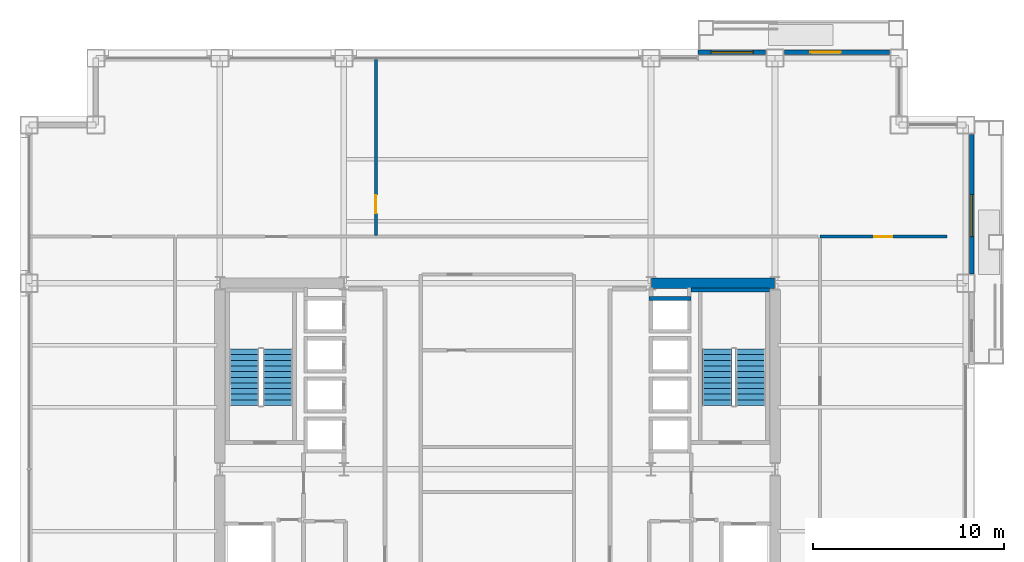
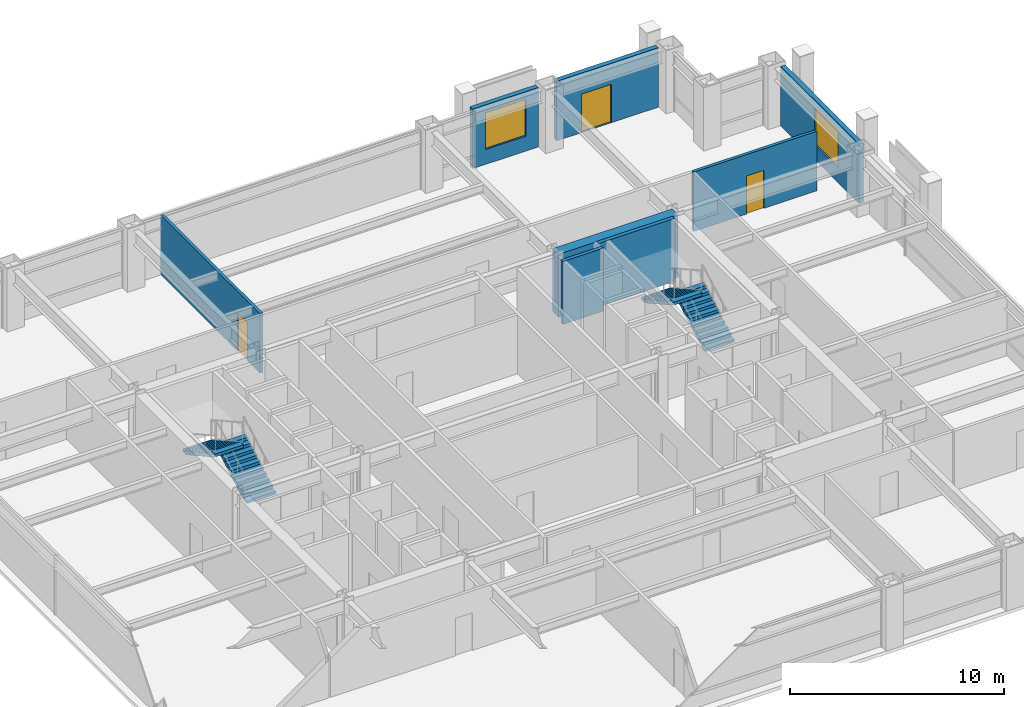
# One storey, part 28 of 31: 8 walls, 4 stair flights, 3 doors, 2 windows, 5 openings, 2 elements without a shape of their own.
"""IFC4 building model written with IfcOpenShell, lengths in metres."""

from ifc_helpers import new_model, si_unit, direction, frame, frame_2d, origin, place, context, subcontext, project, spatial, polyline, rectangle, outline, extrude, material, layer, layer_set, type_object, element, fill, aggregate, save


model = new_model("IFC4")

# Units and contexts
model_context = context("Model", 3, precision=1e-05, world=origin(), true_north=direction((0.0, 1.0)))
body_context = subcontext(model_context, "Body", "Model", "MODEL_VIEW")
ifc_project = project(units=[si_unit("LENGTHUNIT", "METRE"), si_unit("AREAUNIT", "SQUARE_METRE"), si_unit("VOLUMEUNIT", "CUBIC_METRE"), si_unit("PLANEANGLEUNIT", "RADIAN"), si_unit("MASSUNIT", "GRAM", prefix="KILO")], contexts=[model_context])

# Site, building, storey
site_placement = place(None, origin())
site = spatial("IfcSite", under=ifc_project, at=site_placement, CompositionType="ELEMENT")
building_placement = place(site_placement, origin())
building = spatial("IfcBuilding", under=site, at=building_placement, Name="Brelmoor Portico Tower", CompositionType="ELEMENT")
storey_placement = place(building_placement, frame((0.0, 0.0, 31.199951171875)))
storey = spatial("IfcBuildingStorey", under=building, at=storey_placement, Name="L07", CompositionType="ELEMENT", Elevation=31.199951171875)

# Wall
ifc_material_1 = material(Name="Concrete C60", Category="concrete")
ifc_layer_1 = layer(ifc_material_1, 0.550048828125)
ifc_layer_set_1 = layer_set([ifc_layer_1], Name="Concrete C60")
wall_type_1 = type_object("IfcWallType", Name="WL-CORE-550", PredefinedType="SHEAR", material=ifc_layer_set_1)
wall_1_placement = place(storey_placement, frame((8.070068359375, 9.75, -0.199951171875), z_axis=(0.0, 0.0, 1.0), x_axis=(1.0, 0.0, 0.0)))
element("IfcWall", 1, at=wall_1_placement, inside=storey, type_object=wall_type_1, Name="L07 EC North Shear Wall", PredefinedType="SHEAR", context=body_context, shape_type="SweptSolid", body=[
    extrude(rectangle(XDim=6.4599609375, YDim=0.550048828125, at=frame_2d((3.22998046875, 0.0))), origin(), (0.0, 0.0, 1.0), 3.60009765625),
])

# Wall, opening, window
ifc_material_2 = material(Name="Precast Concrete C40 Insulated Facade Wall", Category="concrete")
ifc_layer_2 = layer(ifc_material_2, 0.25)
ifc_layer_set_2 = layer_set([ifc_layer_2], Name="Precast Concrete C40 Insulated Facade Wall")
wall_type_2 = type_object("IfcWallType", Name="WL-EXT-250", PredefinedType="STANDARD", material=ifc_layer_set_2)
wall_2_placement = place(storey_placement, frame((10.5, 21.860107421875, 0.0), z_axis=(0.0, 0.0, 1.0), x_axis=(1.0, 0.0, 0.0)))
wall_2 = element("IfcWall", 2, at=wall_2_placement, inside=storey, type_object=wall_type_2, Name="L07 Loggia Threshold Wall N-1", PredefinedType="STANDARD", context=body_context, shape_type="SweptSolid", body=[
    extrude(rectangle(XDim=3.554931640625, YDim=0.25, at=frame_2d((1.77734375, 0.0))), origin(), (0.0, 0.0, 1.0), 3.400146484375),
])
opening_1_placement = place(wall_2_placement, frame((0.699951171875, 0.0, 0.85009765625)))
opening_1 = element("IfcOpeningElement", 3, at=opening_1_placement, cuts=wall_2, Name="Opening W-03B", PredefinedType="OPENING", context=body_context, shape_type="SweptSolid", body=[
    extrude(rectangle(XDim=2.199951171875, YDim=2.10009765625, at=frame_2d((1.10009765625, 1.050048828125))), frame((0.0, 0.135009765625, 0.0), z_axis=(0.0, -1.0, 0.0), x_axis=(1.0, 0.0, 0.0)), (0.0, 0.0, 1.0), 0.27001953125),
])
ifc_material_3 = material(Name="Thermally Broken Aluminium Low-E Window", Category="aluminium")
window_type = type_object("IfcWindowType", Name="WN-LOGGIA-2200x2100", PartitioningType="SINGLE_PANEL", PredefinedType="WINDOW", material=ifc_material_3)
window_1_placement = place(opening_1_placement, origin())
window_1 = element("IfcWindow", 4, at=window_1_placement, inside=storey, type_object=window_type, Name="L07 Loggia Window N", OverallHeight=2.10009765625, OverallWidth=2.199951171875, PartitioningType="SINGLE_PANEL", PredefinedType="WINDOW", context=body_context, shape_type="SweptSolid", body=[
    extrude(rectangle(XDim=2.199951171875, YDim=2.10009765625, at=frame_2d((1.10009765625, 1.050048828125))), frame((0.0, 0.030029296875, 0.0), z_axis=(0.0, -1.0, 0.0), x_axis=(1.0, 0.0, 0.0)), (0.0, 0.0, 1.0), 0.06005859375),
])
fill(opening_1, window_1)

# Wall, opening, door
wall_3_placement = place(storey_placement, frame((15.044921875, 21.860107421875, 0.0), z_axis=(0.0, 0.0, 1.0), x_axis=(1.0, 0.0, 0.0)))
wall_3 = element("IfcWall", 5, at=wall_3_placement, inside=storey, type_object=wall_type_2, Name="L07 Loggia Threshold Wall N-2", PredefinedType="STANDARD", context=body_context, shape_type="SweptSolid", body=[
    extrude(rectangle(XDim=5.510009765625, YDim=0.25, at=frame_2d((2.7548828125, 0.0))), origin(), (0.0, 0.0, 1.0), 3.400146484375),
])
opening_2_placement = place(wall_3_placement, frame((1.35498046875, 0.0, 0.0)))
opening_2 = element("IfcOpeningElement", 6, at=opening_2_placement, cuts=wall_3, Name="Opening D-TB1", PredefinedType="OPENING", context=body_context, shape_type="SweptSolid", body=[
    extrude(rectangle(XDim=1.60009765625, YDim=2.199951171875, at=frame_2d((0.800048828125, 1.10009765625))), frame((0.0, 0.135009765625, 0.0), z_axis=(0.0, -1.0, 0.0), x_axis=(1.0, 0.0, 0.0)), (0.0, 0.0, 1.0), 0.27001953125),
])
ifc_material_4 = material(Name="Double-Leaf Thermally Broken Terrace Door", Category="aluminium")
door_type_1 = type_object("IfcDoorType", Name="DR-BALCONY-1600", OperationType="NOTDEFINED", PredefinedType="DOOR", material=ifc_material_4)
door_1_placement = place(opening_2_placement, origin())
door_1 = element("IfcDoor", 7, at=door_1_placement, inside=storey, type_object=door_type_1, Name="D-0336 L07 Tree Balcony Double Door N", OperationType="DOUBLE_DOOR_SINGLE_SWING", OverallHeight=2.199951171875, OverallWidth=1.60009765625, PredefinedType="DOOR", context=body_context, shape_type="SweptSolid", body=[
    extrude(rectangle(XDim=1.60009765625, YDim=2.199951171875, at=frame_2d((0.800048828125, 1.10009765625))), frame((0.0, 0.02490234375, 0.0), z_axis=(0.0, -1.0, 0.0), x_axis=(1.0, 0.0, 0.0)), (0.0, 0.0, 1.0), 0.050048828125),
])
fill(opening_2, door_1)

# Wall, opening, window
wall_4_placement = place(storey_placement, frame((24.860107421875, 10.2451171875, 0.0), z_axis=(0.0, 0.0, 1.0), x_axis=(0.0, 1.0, 0.0)))
wall_4 = element("IfcWall", 8, at=wall_4_placement, inside=storey, type_object=wall_type_2, Name="L07 Loggia Threshold Wall E-2", PredefinedType="STANDARD", context=body_context, shape_type="SweptSolid", body=[
    extrude(rectangle(XDim=7.309814453125, YDim=0.25, at=frame_2d((3.65478515625, 0.0))), origin(), (0.0, 0.0, 1.0), 3.400146484375),
])
opening_3_placement = place(wall_4_placement, frame((1.955078125, 0.0, 0.85009765625)))
opening_3 = element("IfcOpeningElement", 9, at=opening_3_placement, cuts=wall_4, Name="Opening W-03B", PredefinedType="OPENING", context=body_context, shape_type="SweptSolid", body=[
    extrude(rectangle(XDim=2.199951171875, YDim=2.10009765625, at=frame_2d((1.10009765625, 1.050048828125))), frame((0.0, 0.135009765625, 0.0), z_axis=(0.0, -1.0, 0.0), x_axis=(1.0, 0.0, 0.0)), (0.0, 0.0, 1.0), 0.27001953125),
])
window_2_placement = place(opening_3_placement, origin())
window_2 = element("IfcWindow", 10, at=window_2_placement, inside=storey, type_object=window_type, Name="L07 Loggia Window E", OverallHeight=2.10009765625, OverallWidth=2.199951171875, PartitioningType="SINGLE_PANEL", PredefinedType="WINDOW", context=body_context, shape_type="SweptSolid", body=[
    extrude(rectangle(XDim=2.199951171875, YDim=2.10009765625, at=frame_2d((1.10009765625, 1.050048828125))), frame((0.0, 0.030029296875, 0.0), z_axis=(0.0, -1.0, 0.0), x_axis=(1.0, 0.0, 0.0)), (0.0, 0.0, 1.0), 0.06005859375),
])
fill(opening_3, window_2)

# Wall, opening, door
ifc_material_5 = material(Name="Twin-Frame Acoustic Partition", Category="gypsum")
ifc_layer_3 = layer(ifc_material_5, 0.159912109375)
ifc_layer_set_3 = layer_set([ifc_layer_3], Name="Twin-Frame Acoustic Partition")
wall_type_3 = type_object("IfcWallType", Name="WL-PART-160", PredefinedType="PARTITIONING", material=ifc_layer_set_3)
wall_5_placement = place(storey_placement, frame((-6.37109375, 12.260009765625, 0.0), z_axis=(0.0, 0.0, 1.0), x_axis=(0.0, 1.0, 0.0)))
wall_5 = element("IfcWall", 11, at=wall_5_placement, inside=storey, type_object=wall_type_3, Name="L07 North Suite Partition 1", PredefinedType="PARTITIONING", context=body_context, shape_type="SweptSolid", body=[
    extrude(rectangle(XDim=9.300048828125, YDim=0.159912109375, at=frame_2d((4.64990234375, 0.0))), origin(), (0.0, 0.0, 1.0), 3.400146484375),
])
opening_4_placement = place(wall_5_placement, frame((1.14990234375, 0.0, 0.0)))
opening_4 = element("IfcOpeningElement", 12, at=opening_4_placement, cuts=wall_5, Name="Opening D-IN2", PredefinedType="OPENING", context=body_context, shape_type="SweptSolid", body=[
    extrude(rectangle(XDim=0.9599609375, YDim=2.179931640625, at=frame_2d((0.47998046875, 1.08984375))), frame((0.0, 0.08984375, 0.0), z_axis=(0.0, -1.0, 0.0), x_axis=(1.0, 0.0, 0.0)), (0.0, 0.0, 1.0), 0.179931640625),
])
ifc_material_6 = material(Name="Lacquered Timber Suite Door", Category="wood")
door_type_2 = type_object("IfcDoorType", Name="DR-INT-950", OperationType="NOTDEFINED", PredefinedType="DOOR", material=ifc_material_6)
door_2_placement = place(opening_4_placement, origin())
door_2 = element("IfcDoor", 13, at=door_2_placement, inside=storey, type_object=door_type_2, Name="D-0323 L07 North Suite Connecting Door 1", OperationType="SINGLE_SWING_RIGHT", OverallHeight=2.179931640625, OverallWidth=0.9599609375, PredefinedType="DOOR", context=body_context, shape_type="SweptSolid", body=[
    extrude(rectangle(XDim=0.9599609375, YDim=2.179931640625, at=frame_2d((0.47998046875, 1.08984375))), frame((0.0, 0.02490234375, 0.0), z_axis=(0.0, -1.0, 0.0), x_axis=(1.0, 0.0, 0.0)), (0.0, 0.0, 1.0), 0.050048828125),
])
fill(opening_4, door_2)

wall_6_placement = place(storey_placement, frame((16.89990234375, 12.199951171875, 0.0), z_axis=(0.0, 0.0, 1.0), x_axis=(1.0, 0.0, 0.0)))
wall_6 = element("IfcWall", 14, at=wall_6_placement, inside=storey, type_object=wall_type_3, Name="L07 North Outer Closure ER", PredefinedType="PARTITIONING", context=body_context, shape_type="SweptSolid", body=[
    extrude(rectangle(XDim=6.650146484375, YDim=0.159912109375, at=frame_2d((3.3251953125, 0.0))), origin(), (0.0, 0.0, 1.0), 3.400146484375),
])
opening_5_placement = place(wall_6_placement, frame((2.844970703125, 0.0, 0.0)))
opening_5 = element("IfcOpeningElement", 15, at=opening_5_placement, cuts=wall_6, Name="Opening D-IN2", PredefinedType="OPENING", context=body_context, shape_type="SweptSolid", body=[
    extrude(rectangle(XDim=0.9599609375, YDim=2.179931640625, at=frame_2d((0.47998046875, 1.08984375))), frame((0.0, 0.08984375, 0.0), z_axis=(0.0, -1.0, 0.0), x_axis=(1.0, 0.0, 0.0)), (0.0, 0.0, 1.0), 0.179931640625),
])
door_3_placement = place(opening_5_placement, origin())
door_3 = element("IfcDoor", 16, at=door_3_placement, inside=storey, type_object=door_type_2, Name="D-0324 L07 ER North Corner Suite Door", OperationType="SINGLE_SWING_RIGHT", OverallHeight=2.179931640625, OverallWidth=0.9599609375, PredefinedType="DOOR", context=body_context, shape_type="SweptSolid", body=[
    extrude(rectangle(XDim=0.9599609375, YDim=2.179931640625, at=frame_2d((0.47998046875, 1.08984375))), frame((0.0, 0.02490234375, 0.0), z_axis=(0.0, -1.0, 0.0), x_axis=(1.0, 0.0, 0.0)), (0.0, 0.0, 1.0), 0.050048828125),
])
fill(opening_5, door_3)

# Walls
ifc_material_7 = material(Name="Precast Concrete C40", Category="concrete")
ifc_layer_4 = layer(ifc_material_7, 0.18994140625)
ifc_layer_set_4 = layer_set([ifc_layer_4], Name="Precast Concrete C40")
wall_type_4 = type_object("IfcWallType", Name="WL-SHAFT-180", PredefinedType="SOLIDWALL", material=ifc_layer_set_4)
wall_7_placement = place(storey_placement, frame((7.949951171875, 8.955078125, -0.199951171875), z_axis=(0.0, 0.0, 1.0), x_axis=(1.0, 0.0, 0.0)))
element("IfcWall", 17, at=wall_7_placement, inside=storey, type_object=wall_type_4, Name="L07 Lift PM4 Hoistway North Wall", PredefinedType="SOLIDWALL", context=body_context, shape_type="SweptSolid", body=[
    extrude(rectangle(XDim=2.199951171875, YDim=0.18994140625, at=frame_2d((1.10009765625, 0.0))), origin(), (0.0, 0.0, 1.0), 3.60009765625),
])
ifc_material_8 = material(Name="Concrete C40", Category="concrete")
ifc_layer_5 = layer(ifc_material_8, 0.199951171875)
ifc_layer_set_5 = layer_set([ifc_layer_5], Name="Concrete C40")
wall_type_5 = type_object("IfcWallType", Name="WL-SHAFT-RC200", PredefinedType="SOLIDWALL", material=ifc_layer_set_5)
wall_8_placement = place(storey_placement, frame((10.14990234375, 9.39990234375, -0.199951171875), z_axis=(0.0, 0.0, 1.0), x_axis=(1.0, 0.0, 0.0)))
element("IfcWall", 18, at=wall_8_placement, inside=storey, type_object=wall_type_5, Name="L07 ST-E Structural Stair Wall N", PredefinedType="SOLIDWALL", context=body_context, shape_type="SweptSolid", body=[
    extrude(rectangle(XDim=4.10009765625, YDim=0.199951171875, at=frame_2d((2.050048828125, 0.0))), origin(), (0.0, 0.0, 1.0), 3.60009765625),
])

# Stair, stair flights
stair_type_1 = type_object("IfcStairType", Name="ST-CORE-W", PredefinedType="HALF_TURN_STAIR", material=ifc_material_8)
stair_1_placement = place(storey_placement, origin())
stair_1 = element("IfcStair", 19, at=stair_1_placement, inside=storey, type_object=stair_type_1, Name="L07 Protected Core Exit Stair ST-W", PredefinedType="HALF_TURN_STAIR")
stair_flight_type = type_object("IfcStairFlightType", Name="SF-CORE-1850", PredefinedType="STRAIGHT", material=ifc_material_8)
stair_flight_1_placement = place(storey_placement, frame((-11.510009765625, 3.35009765625, 0.0), z_axis=(0.0, 0.0, 1.0), x_axis=(0.0, 1.0, 0.0)))
stair_flight_1 = element("IfcStairFlight", 20, at=stair_flight_1_placement, type_object=stair_flight_type, Name="ST-W flight 1", NumberOfRisers=11, NumberOfTreads=10, PredefinedType="STRAIGHT", RiserHeight=0.163636364, TreadLength=0.295, context=body_context, shape_type="SweptSolid", body=[
    extrude(outline(polyline([(0.0, 0.0), (0.0, 0.16357421875), (0.294921875, 0.16357421875), (0.294921875, 0.327392578125), (0.590087890625, 0.327392578125), (0.590087890625, 0.490966796875), (0.885009765625, 0.490966796875), (0.885009765625, 0.654541015625), (1.179931640625, 0.654541015625), (1.179931640625, 0.818115234375), (1.47509765625, 0.818115234375), (1.47509765625, 0.98193359375), (1.77001953125, 0.98193359375), (1.77001953125, 1.1455078125), (2.06494140625, 1.1455078125), (2.06494140625, 1.30908203125), (2.360107421875, 1.30908203125), (2.360107421875, 1.47265625), (2.655029296875, 1.47265625), (2.655029296875, 1.636474609375), (2.949951171875, 1.636474609375), (2.949951171875, 1.800048828125), (2.949951171875, 1.46484375), (0.30908203125, 0.0), (0.0, 0.0)])), frame((0.0, 0.780029296875, 0.0), z_axis=(0.0, -1.0, 0.0), x_axis=(1.0, 0.0, 0.0)), (0.0, 0.0, 1.0), 1.56005859375),
])
stair_flight_2_placement = place(storey_placement, frame((-13.27001953125, 6.300048828125, 1.800048828125), z_axis=(0.0, 0.0, 1.0), x_axis=(0.0, -1.0, 0.0)))
stair_flight_2 = element("IfcStairFlight", 21, at=stair_flight_2_placement, type_object=stair_flight_type, Name="ST-W flight 2", NumberOfRisers=11, NumberOfTreads=10, PredefinedType="STRAIGHT", RiserHeight=0.163636364, TreadLength=0.295, context=body_context, shape_type="SweptSolid", body=[
    extrude(outline(polyline([(0.0, 0.0), (0.0, 0.16357421875), (0.294921875, 0.16357421875), (0.294921875, 0.327392578125), (0.590087890625, 0.327392578125), (0.590087890625, 0.490966796875), (0.885009765625, 0.490966796875), (0.885009765625, 0.654541015625), (1.179931640625, 0.654541015625), (1.179931640625, 0.818115234375), (1.47509765625, 0.818115234375), (1.47509765625, 0.98193359375), (1.77001953125, 0.98193359375), (1.77001953125, 1.1455078125), (2.06494140625, 1.1455078125), (2.06494140625, 1.30908203125), (2.360107421875, 1.30908203125), (2.360107421875, 1.47265625), (2.655029296875, 1.47265625), (2.655029296875, 1.636474609375), (2.949951171875, 1.636474609375), (2.949951171875, 1.800048828125), (2.949951171875, 1.46484375), (0.30908203125, 0.0), (0.0, 0.0)])), frame((0.0, 0.780029296875, 0.0), z_axis=(0.0, -1.0, 0.0), x_axis=(1.0, 0.0, 0.0)), (0.0, 0.0, 1.0), 1.56005859375),
])
aggregate(stair_1, [stair_flight_1, stair_flight_2])

stair_type_2 = type_object("IfcStairType", Name="ST-CORE-E", PredefinedType="HALF_TURN_STAIR", material=ifc_material_8)
stair_2_placement = place(storey_placement, origin())
stair_2 = element("IfcStair", 22, at=stair_2_placement, inside=storey, type_object=stair_type_2, Name="L07 Protected Core Exit Stair ST-E", PredefinedType="HALF_TURN_STAIR")
stair_flight_3_placement = place(storey_placement, frame((13.27001953125, 3.35009765625, 0.0), z_axis=(0.0, 0.0, 1.0), x_axis=(0.0, 1.0, 0.0)))
stair_flight_3 = element("IfcStairFlight", 23, at=stair_flight_3_placement, type_object=stair_flight_type, Name="ST-E flight 1", NumberOfRisers=11, NumberOfTreads=10, PredefinedType="STRAIGHT", RiserHeight=0.163636364, TreadLength=0.295, context=body_context, shape_type="SweptSolid", body=[
    extrude(outline(polyline([(0.0, 0.0), (0.0, 0.16357421875), (0.294921875, 0.16357421875), (0.294921875, 0.327392578125), (0.590087890625, 0.327392578125), (0.590087890625, 0.490966796875), (0.885009765625, 0.490966796875), (0.885009765625, 0.654541015625), (1.179931640625, 0.654541015625), (1.179931640625, 0.818115234375), (1.47509765625, 0.818115234375), (1.47509765625, 0.98193359375), (1.77001953125, 0.98193359375), (1.77001953125, 1.1455078125), (2.06494140625, 1.1455078125), (2.06494140625, 1.30908203125), (2.360107421875, 1.30908203125), (2.360107421875, 1.47265625), (2.655029296875, 1.47265625), (2.655029296875, 1.636474609375), (2.949951171875, 1.636474609375), (2.949951171875, 1.800048828125), (2.949951171875, 1.46484375), (0.30908203125, 0.0), (0.0, 0.0)])), frame((0.0, 0.780029296875, 0.0), z_axis=(0.0, -1.0, 0.0), x_axis=(1.0, 0.0, 0.0)), (0.0, 0.0, 1.0), 1.56005859375),
])
stair_flight_4_placement = place(storey_placement, frame((11.510009765625, 6.300048828125, 1.800048828125), z_axis=(0.0, 0.0, 1.0), x_axis=(0.0, -1.0, 0.0)))
stair_flight_4 = element("IfcStairFlight", 24, at=stair_flight_4_placement, type_object=stair_flight_type, Name="ST-E flight 2", NumberOfRisers=11, NumberOfTreads=10, PredefinedType="STRAIGHT", RiserHeight=0.163636364, TreadLength=0.295, context=body_context, shape_type="SweptSolid", body=[
    extrude(outline(polyline([(0.0, 0.0), (0.0, 0.16357421875), (0.294921875, 0.16357421875), (0.294921875, 0.327392578125), (0.590087890625, 0.327392578125), (0.590087890625, 0.490966796875), (0.885009765625, 0.490966796875), (0.885009765625, 0.654541015625), (1.179931640625, 0.654541015625), (1.179931640625, 0.818115234375), (1.47509765625, 0.818115234375), (1.47509765625, 0.98193359375), (1.77001953125, 0.98193359375), (1.77001953125, 1.1455078125), (2.06494140625, 1.1455078125), (2.06494140625, 1.30908203125), (2.360107421875, 1.30908203125), (2.360107421875, 1.47265625), (2.655029296875, 1.47265625), (2.655029296875, 1.636474609375), (2.949951171875, 1.636474609375), (2.949951171875, 1.800048828125), (2.949951171875, 1.46484375), (0.30908203125, 0.0), (0.0, 0.0)])), frame((0.0, 0.780029296875, 0.0), z_axis=(0.0, -1.0, 0.0), x_axis=(1.0, 0.0, 0.0)), (0.0, 0.0, 1.0), 1.56005859375),
])
aggregate(stair_2, [stair_flight_3, stair_flight_4])

save(model, "model.ifc")
